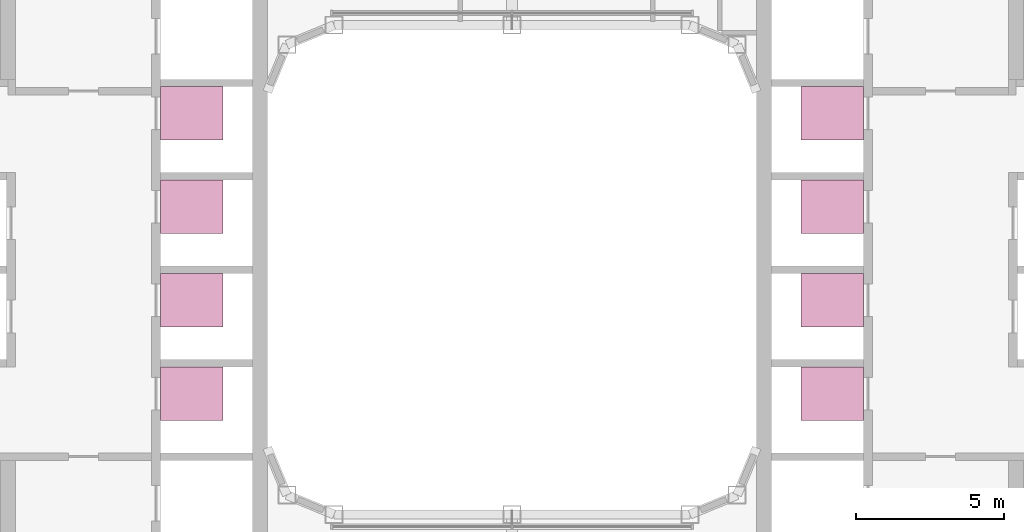
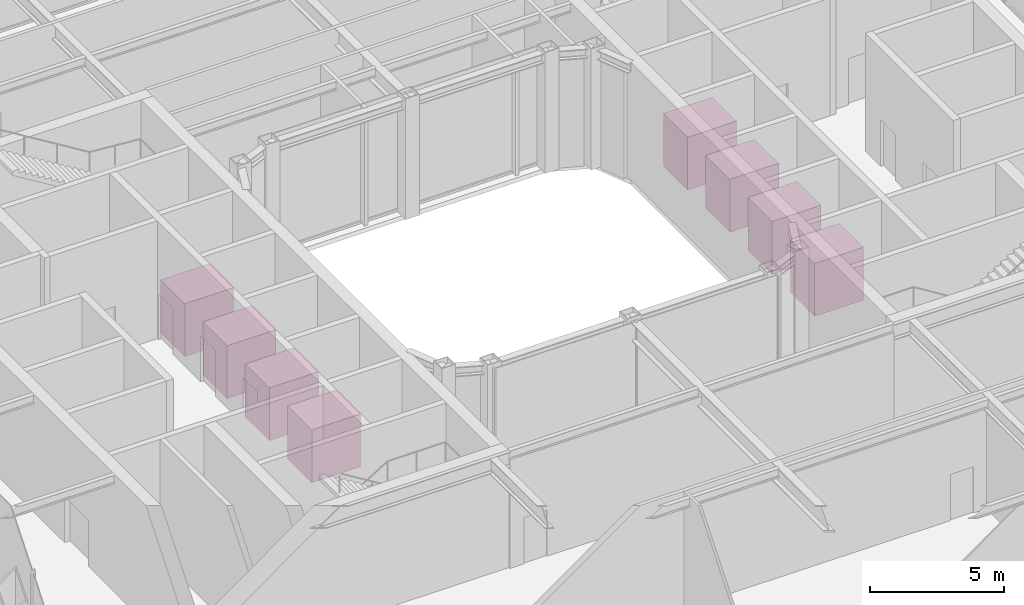
# One storey, part 19 of 19: 8 transport elements.
"""IFC4 building model written with IfcOpenShell, lengths in metres."""

from ifc_helpers import new_model, si_unit, direction, frame, origin, origin_2d, place, context, subcontext, project, spatial, rectangle, extrude, material, type_object, element, save


model = new_model("IFC4")

# Units and contexts
model_context = context("Model", 3, precision=1e-05, world=origin(), true_north=direction((0.0, 1.0)))
body_context = subcontext(model_context, "Body", "Model", "MODEL_VIEW")
ifc_project = project(units=[si_unit("LENGTHUNIT", "METRE"), si_unit("AREAUNIT", "SQUARE_METRE"), si_unit("VOLUMEUNIT", "CUBIC_METRE"), si_unit("PLANEANGLEUNIT", "RADIAN"), si_unit("MASSUNIT", "GRAM", prefix="KILO")], contexts=[model_context])

# Site, building, storey
site_placement = place(None, origin())
site = spatial("IfcSite", under=ifc_project, at=site_placement, CompositionType="ELEMENT")
building_placement = place(site_placement, origin())
building = spatial("IfcBuilding", under=site, at=building_placement, Name="Siwar Civic Tower", CompositionType="ELEMENT")
storey_placement = place(building_placement, frame((0.0, 0.0, 187.199951171875)))
storey = spatial("IfcBuildingStorey", under=building, at=storey_placement, Name="L40", CompositionType="ELEMENT", Elevation=187.199951171875)

# Transport elements
ifc_material = material(Name="Brushed stainless steel", Category="steel")
transport_element_type = type_object("IfcTransportElementType", Name="CORE-LIFT-HR", PredefinedType="ELEVATOR", material=ifc_material)
for number, where, z_axis, x_axis, name in (
    (1, (-10.800048828125, -4.175048828125, 0.0), (0.0, 0.0, 1.0), (1.0, 0.0, 0.0), "Lift HR1"),
    (2, (-10.800048828125, -1.02490234375, 0.0), (0.0, 0.0, 1.0), (1.0, 0.0, 0.0), "Lift HR2"),
    (3, (-10.800048828125, 2.125, 0.0), (0.0, 0.0, 1.0), (1.0, 0.0, 0.0), "Lift HR3"),
    (4, (-10.800048828125, 5.27490234375, 0.0), (0.0, 0.0, 1.0), (1.0, 0.0, 0.0), "Lift HR4"),
    (5, (10.800048828125, -4.175048828125, 0.0), (0.0, 0.0, 1.0), (1.0, 0.0, 0.0), "Lift HR5"),
    (6, (10.800048828125, -1.02490234375, 0.0), (0.0, 0.0, 1.0), (1.0, 0.0, 0.0), "Lift HR6"),
    (7, (10.800048828125, 2.125, 0.0), (0.0, 0.0, 1.0), (1.0, 0.0, 0.0), "Lift HR7"),
    (8, (10.800048828125, 5.27490234375, 0.0), (0.0, 0.0, 1.0), (1.0, 0.0, 0.0), "Lift HR8"),
):
    element("IfcTransportElement", number, at=place(storey_placement, frame(where, z_axis=z_axis, x_axis=x_axis)), inside=storey, type_object=transport_element_type, Name=name, PredefinedType="ELEVATOR", context=body_context, shape_type="SweptSolid", body=[
        extrude(rectangle(XDim=2.10009765625, YDim=1.800048828125, at=origin_2d()), origin(), (0.0, 0.0, 1.0), 2.39990234375),
    ])

save(model, "model.ifc")
